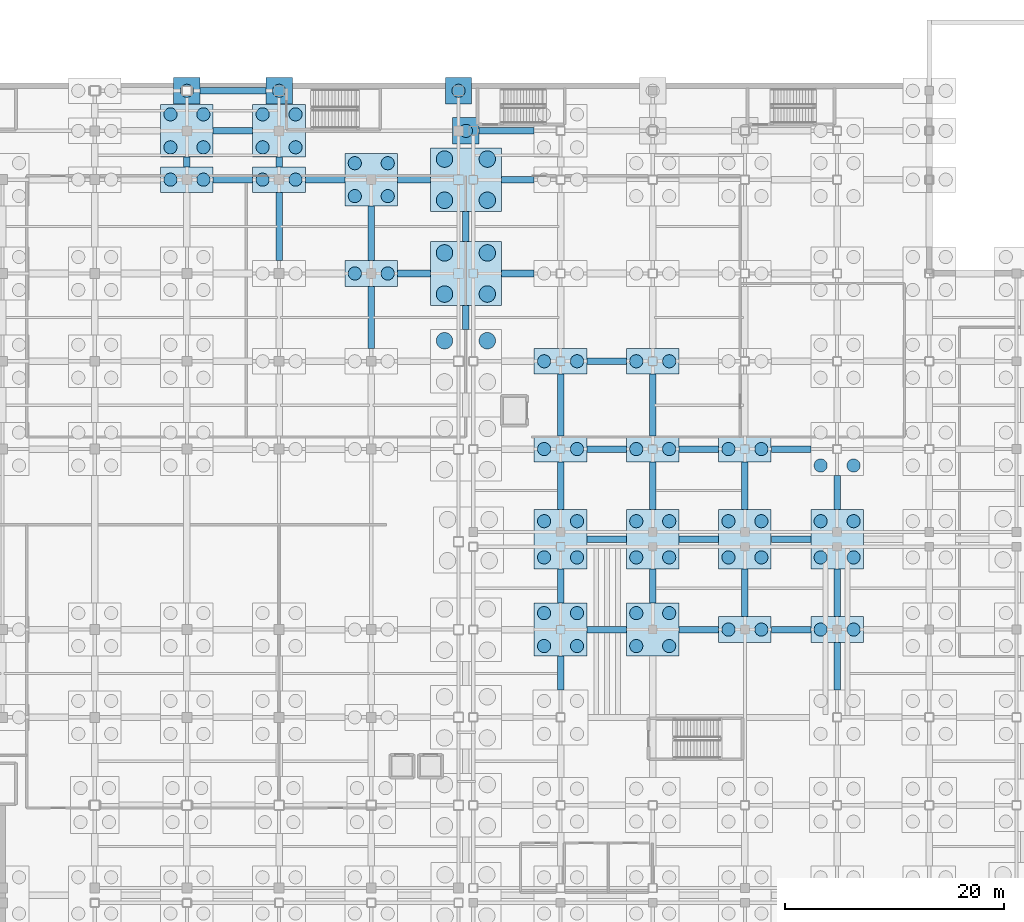
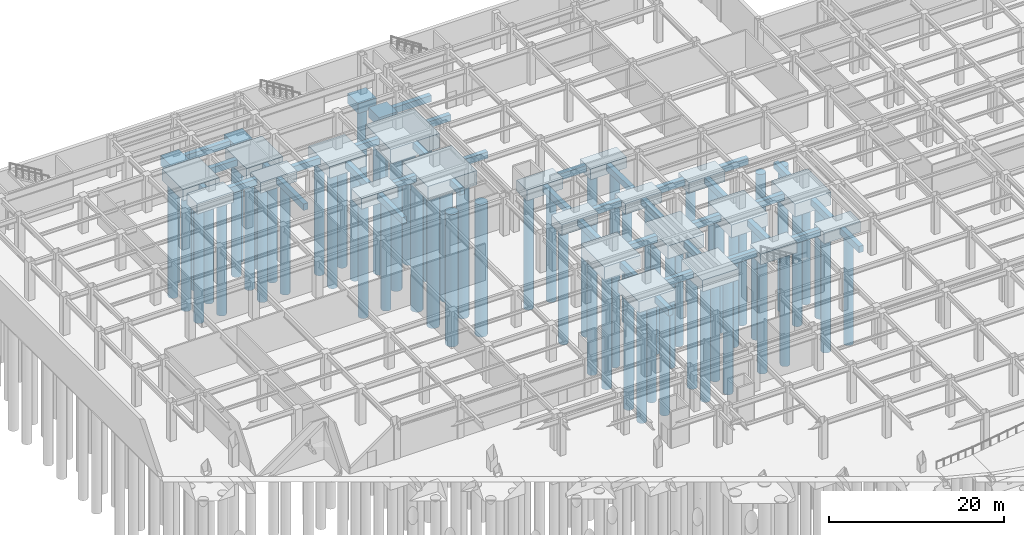
# One storey, part 8 of 55: 72 piles, 63 footings.
"""IFC4 building model written with IfcOpenShell, lengths in metres."""

from ifc_helpers import new_model, si_unit, direction, frame, origin, origin_2d, place, context, subcontext, project, spatial, rectangle, circle, extrude, material, layer, layer_set, material_profile, profile_set, type_object, element, save


model = new_model("IFC4")

# Units and contexts
model_context = context("Model", 3, precision=1e-05, world=origin(), true_north=direction((0.0, 1.0)))
body_context = subcontext(model_context, "Body", "Model", "MODEL_VIEW")
ifc_project = project(units=[si_unit("LENGTHUNIT", "METRE"), si_unit("AREAUNIT", "SQUARE_METRE"), si_unit("VOLUMEUNIT", "CUBIC_METRE"), si_unit("PLANEANGLEUNIT", "RADIAN"), si_unit("MASSUNIT", "GRAM", prefix="KILO")], contexts=[model_context])

# Site, building, storey
site_placement = place(None, origin())
site = spatial("IfcSite", under=ifc_project, at=site_placement, CompositionType="ELEMENT")
building_placement = place(site_placement, origin())
building = spatial("IfcBuilding", under=site, at=building_placement, Name="Kazehara Bluff Congress Hotel", CompositionType="ELEMENT")
storey_placement = place(building_placement, frame((0.0, 0.0, -5.39990234375)))
storey = spatial("IfcBuildingStorey", under=building, at=storey_placement, Name="B1", CompositionType="ELEMENT", Elevation=-5.39990234375)

# Footings
ifc_material_1 = material(Name="Concrete C36/45", Category="concrete")
ifc_material_profile_1 = material_profile(ifc_material_1, rectangle(XDim=0.60009765625, YDim=0.89990234375, at=origin_2d()))
ifc_profile_set_1 = profile_set([ifc_material_profile_1], Name="Concrete C36/45")
footing_type_1 = type_object("IfcFootingType", Name="TP-FB-01", PredefinedType="FOOTING_BEAM", material=ifc_profile_set_1)
footing_1_placement = place(storey_placement, frame((70.050048828125, 64.449951171875, -0.9501953125), z_axis=(1.0, 0.0, 0.0), x_axis=(0.0, 1.0, 0.0)))
element("IfcFooting", 1, at=footing_1_placement, inside=storey, type_object=footing_type_1, Name="Foundation tie beam FB-01 138", PredefinedType="FOOTING_BEAM", context=body_context, shape_type="SweptSolid", body=[
    extrude(rectangle(XDim=0.60009765625, YDim=0.89990234375, at=origin_2d()), origin(), (0.0, 0.0, 1.0), 3.599853515625),
])
footing_2_placement = place(storey_placement, frame((78.449951171875, 64.449951171875, -0.9501953125), z_axis=(1.0, 0.0, 0.0), x_axis=(0.0, 1.0, 0.0)))
element("IfcFooting", 2, at=footing_2_placement, inside=storey, type_object=footing_type_1, Name="Foundation tie beam FB-01 139", PredefinedType="FOOTING_BEAM", context=body_context, shape_type="SweptSolid", body=[
    extrude(rectangle(XDim=0.60009765625, YDim=0.89990234375, at=origin_2d()), origin(), (0.0, 0.0, 1.0), 3.60009765625),
])
for number, where, z_axis, x_axis, name in (
    (3, (86.85009765625, 64.449951171875, -0.9501953125), (1.0, 0.0, 0.0), (0.0, 1.0, 0.0), "Foundation tie beam FB-01 140"),
    (4, (70.050048828125, 72.675048828125, -0.9501953125), (1.0, 0.0, 0.0), (0.0, 1.0, 0.0), "Foundation tie beam FB-01 151"),
):
    element("IfcFooting", number, at=place(storey_placement, frame(where, z_axis=z_axis, x_axis=x_axis)), inside=storey, type_object=footing_type_1, Name=name, PredefinedType="FOOTING_BEAM", context=body_context, shape_type="SweptSolid", body=[
        extrude(rectangle(XDim=0.60009765625, YDim=0.89990234375, at=origin_2d()), origin(), (0.0, 0.0, 1.0), 3.599853515625),
    ])
footing_3_placement = place(storey_placement, frame((78.449951171875, 72.675048828125, -0.9501953125), z_axis=(1.0, 0.0, 0.0), x_axis=(0.0, 1.0, 0.0)))
element("IfcFooting", 5, at=footing_3_placement, inside=storey, type_object=footing_type_1, Name="Foundation tie beam FB-01 152", PredefinedType="FOOTING_BEAM", context=body_context, shape_type="SweptSolid", body=[
    extrude(rectangle(XDim=0.60009765625, YDim=0.89990234375, at=origin_2d()), origin(), (0.0, 0.0, 1.0), 3.60009765625),
])
for number, where, z_axis, x_axis, name in (
    (6, (86.85009765625, 72.675048828125, -0.9501953125), (1.0, 0.0, 0.0), (0.0, 1.0, 0.0), "Foundation tie beam FB-01 153"),
    (7, (70.050048828125, 80.89990234375, -0.9501953125), (1.0, 0.0, 0.0), (0.0, 1.0, 0.0), "Foundation tie beam FB-01 168"),
):
    element("IfcFooting", number, at=place(storey_placement, frame(where, z_axis=z_axis, x_axis=x_axis)), inside=storey, type_object=footing_type_1, Name=name, PredefinedType="FOOTING_BEAM", context=body_context, shape_type="SweptSolid", body=[
        extrude(rectangle(XDim=0.60009765625, YDim=0.89990234375, at=origin_2d()), origin(), (0.0, 0.0, 1.0), 3.599853515625),
    ])
footing_4_placement = place(storey_placement, frame((78.449951171875, 80.89990234375, -0.9501953125), z_axis=(1.0, 0.0, 0.0), x_axis=(0.0, 1.0, 0.0)))
element("IfcFooting", 8, at=footing_4_placement, inside=storey, type_object=footing_type_1, Name="Foundation tie beam FB-01 169", PredefinedType="FOOTING_BEAM", context=body_context, shape_type="SweptSolid", body=[
    extrude(rectangle(XDim=0.60009765625, YDim=0.89990234375, at=origin_2d()), origin(), (0.0, 0.0, 1.0), 3.60009765625),
])
for number, where, z_axis, x_axis, name in (
    (9, (86.85009765625, 80.89990234375, -0.9501953125), (1.0, 0.0, 0.0), (0.0, 1.0, 0.0), "Foundation tie beam FB-01 170"),
    (10, (70.050048828125, 88.89990234375, -0.9501953125), (1.0, 0.0, 0.0), (0.0, 1.0, 0.0), "Foundation tie beam FB-01 187"),
):
    element("IfcFooting", number, at=place(storey_placement, frame(where, z_axis=z_axis, x_axis=x_axis)), inside=storey, type_object=footing_type_1, Name=name, PredefinedType="FOOTING_BEAM", context=body_context, shape_type="SweptSolid", body=[
        extrude(rectangle(XDim=0.60009765625, YDim=0.89990234375, at=origin_2d()), origin(), (0.0, 0.0, 1.0), 3.599853515625),
    ])
for number, where, z_axis, x_axis, name in (
    (11, (52.800048828125, 96.89990234375, -0.9501953125), (1.0, 0.0, 0.0), (0.0, 1.0, 0.0), "Foundation tie beam FB-01 204"),
    (12, (62.25, 96.89990234375, -0.9501953125), (1.0, 0.0, 0.0), (0.0, 1.0, 0.0), "Foundation tie beam FB-01 205"),
):
    element("IfcFooting", number, at=place(storey_placement, frame(where, z_axis=z_axis, x_axis=x_axis)), inside=storey, type_object=footing_type_1, Name=name, PredefinedType="FOOTING_BEAM", context=body_context, shape_type="SweptSolid", body=[
        extrude(rectangle(XDim=0.60009765625, YDim=0.89990234375, at=origin_2d()), origin(), (0.0, 0.0, 1.0), 3.0),
    ])
for number, where, z_axis, x_axis, name in (
    (13, (36.0, 105.449951171875, -0.9501953125), (1.0, 0.0, 0.0), (0.0, 1.0, 0.0), "Foundation tie beam FB-01 221"),
    (14, (44.39990234375, 105.449951171875, -0.9501953125), (1.0, 0.0, 0.0), (0.0, 1.0, 0.0), "Foundation tie beam FB-01 222"),
):
    element("IfcFooting", number, at=place(storey_placement, frame(where, z_axis=z_axis, x_axis=x_axis)), inside=storey, type_object=footing_type_1, Name=name, PredefinedType="FOOTING_BEAM", context=body_context, shape_type="SweptSolid", body=[
        extrude(rectangle(XDim=0.60009765625, YDim=0.89990234375, at=origin_2d()), origin(), (0.0, 0.0, 1.0), 3.60009765625),
    ])
for number, where, z_axis, x_axis, name in (
    (15, (52.800048828125, 105.449951171875, -0.9501953125), (1.0, 0.0, 0.0), (0.0, 1.0, 0.0), "Foundation tie beam FB-01 223"),
    (16, (62.25, 105.449951171875, -0.9501953125), (1.0, 0.0, 0.0), (0.0, 1.0, 0.0), "Foundation tie beam FB-01 224"),
):
    element("IfcFooting", number, at=place(storey_placement, frame(where, z_axis=z_axis, x_axis=x_axis)), inside=storey, type_object=footing_type_1, Name=name, PredefinedType="FOOTING_BEAM", context=body_context, shape_type="SweptSolid", body=[
        extrude(rectangle(XDim=0.60009765625, YDim=0.89990234375, at=origin_2d()), origin(), (0.0, 0.0, 1.0), 3.0),
    ])
footing_5_placement = place(storey_placement, frame((36.0, 109.89990234375, -0.9501953125), z_axis=(1.0, 0.0, 0.0), x_axis=(0.0, 1.0, 0.0)))
element("IfcFooting", 17, at=footing_5_placement, inside=storey, type_object=footing_type_1, Name="Foundation tie beam FB-01 234", PredefinedType="FOOTING_BEAM", context=body_context, shape_type="SweptSolid", body=[
    extrude(rectangle(XDim=0.60009765625, YDim=0.89990234375, at=origin_2d()), origin(), (0.0, 0.0, 1.0), 3.60009765625),
])
footing_6_placement = place(storey_placement, frame((60.22509765625, 109.89990234375, -0.9501953125), z_axis=(1.0, 0.0, 0.0), x_axis=(0.0, 1.0, 0.0)))
element("IfcFooting", 18, at=footing_6_placement, inside=storey, type_object=footing_type_1, Name="Foundation tie beam FB-01 235", PredefinedType="FOOTING_BEAM", context=body_context, shape_type="SweptSolid", body=[
    extrude(rectangle(XDim=0.60009765625, YDim=0.89990234375, at=origin_2d()), origin(), (0.0, 0.0, 1.0), 5.02490234375),
])
footing_7_placement = place(storey_placement, frame((34.800048828125, 113.550048828125, -0.9501953125), z_axis=(1.0, 0.0, 0.0), x_axis=(0.0, 1.0, 0.0)))
element("IfcFooting", 19, at=footing_7_placement, inside=storey, type_object=footing_type_1, Name="Foundation tie beam FB-01 245", PredefinedType="FOOTING_BEAM", context=body_context, shape_type="SweptSolid", body=[
    extrude(rectangle(XDim=0.60009765625, YDim=0.89990234375, at=origin_2d()), origin(), (0.0, 0.0, 1.0), 6.0),
])
footing_8_placement = place(storey_placement, frame((33.60009765625, 106.625, -0.9501953125), z_axis=(0.0, 1.0, 0.0), x_axis=(-1.0, 0.0, 0.0)))
element("IfcFooting", 20, at=footing_8_placement, inside=storey, type_object=footing_type_1, Name="Foundation tie beam FB-01 306", PredefinedType="FOOTING_BEAM", context=body_context, shape_type="SweptSolid", body=[
    extrude(rectangle(XDim=0.60009765625, YDim=0.89990234375, at=origin_2d()), origin(), (0.0, 0.0, 1.0), 0.875),
])
footing_9_placement = place(storey_placement, frame((42.0, 98.074951171875, -0.9501953125), z_axis=(0.0, 1.0, 0.0), x_axis=(-1.0, 0.0, 0.0)))
element("IfcFooting", 21, at=footing_9_placement, inside=storey, type_object=footing_type_1, Name="Foundation tie beam FB-01 317", PredefinedType="FOOTING_BEAM", context=body_context, shape_type="SweptSolid", body=[
    extrude(rectangle(XDim=0.60009765625, YDim=0.89990234375, at=origin_2d()), origin(), (0.0, 0.0, 1.0), 6.199951171875),
])
footing_10_placement = place(storey_placement, frame((42.0, 106.625, -0.9501953125), z_axis=(0.0, 1.0, 0.0), x_axis=(-1.0, 0.0, 0.0)))
element("IfcFooting", 22, at=footing_10_placement, inside=storey, type_object=footing_type_1, Name="Foundation tie beam FB-01 318", PredefinedType="FOOTING_BEAM", context=body_context, shape_type="SweptSolid", body=[
    extrude(rectangle(XDim=0.60009765625, YDim=0.89990234375, at=origin_2d()), origin(), (0.0, 0.0, 1.0), 0.875),
])
footing_11_placement = place(storey_placement, frame((50.39990234375, 90.074951171875, -0.9501953125), z_axis=(0.0, 1.0, 0.0), x_axis=(-1.0, 0.0, 0.0)))
element("IfcFooting", 23, at=footing_11_placement, inside=storey, type_object=footing_type_1, Name="Foundation tie beam FB-01 327", PredefinedType="FOOTING_BEAM", context=body_context, shape_type="SweptSolid", body=[
    extrude(rectangle(XDim=0.60009765625, YDim=0.89990234375, at=origin_2d()), origin(), (0.0, 0.0, 1.0), 5.650146484375),
])
footing_12_placement = place(storey_placement, frame((50.39990234375, 98.074951171875, -0.9501953125), z_axis=(0.0, 1.0, 0.0), x_axis=(-1.0, 0.0, 0.0)))
element("IfcFooting", 24, at=footing_12_placement, inside=storey, type_object=footing_type_1, Name="Foundation tie beam FB-01 328", PredefinedType="FOOTING_BEAM", context=body_context, shape_type="SweptSolid", body=[
    extrude(rectangle(XDim=0.60009765625, YDim=0.89990234375, at=origin_2d()), origin(), (0.0, 0.0, 1.0), 4.97509765625),
])
footing_13_placement = place(storey_placement, frame((59.02490234375, 91.800048828125, -0.9501953125), z_axis=(0.0, 1.0, 0.0), x_axis=(-1.0, 0.0, 0.0)))
element("IfcFooting", 25, at=footing_13_placement, inside=storey, type_object=footing_type_1, Name="Foundation tie beam FB-01 336", PredefinedType="FOOTING_BEAM", context=body_context, shape_type="SweptSolid", body=[
    extrude(rectangle(XDim=0.60009765625, YDim=0.89990234375, at=origin_2d()), origin(), (0.0, 0.0, 1.0), 2.199951171875),
])
footing_14_placement = place(storey_placement, frame((59.02490234375, 99.800048828125, -0.9501953125), z_axis=(0.0, 1.0, 0.0), x_axis=(-1.0, 0.0, 0.0)))
element("IfcFooting", 26, at=footing_14_placement, inside=storey, type_object=footing_type_1, Name="Foundation tie beam FB-01 337", PredefinedType="FOOTING_BEAM", context=body_context, shape_type="SweptSolid", body=[
    extrude(rectangle(XDim=0.60009765625, YDim=0.89990234375, at=origin_2d()), origin(), (0.0, 0.0, 1.0), 2.75),
])
footing_15_placement = place(storey_placement, frame((67.64990234375, 58.949951171875, -0.9501953125), z_axis=(0.0, 1.0, 0.0), x_axis=(-1.0, 0.0, 0.0)))
element("IfcFooting", 27, at=footing_15_placement, inside=storey, type_object=footing_type_1, Name="Foundation tie beam FB-01 344", PredefinedType="FOOTING_BEAM", context=body_context, shape_type="SweptSolid", body=[
    extrude(rectangle(XDim=0.60009765625, YDim=0.89990234375, at=origin_2d()), origin(), (0.0, 0.0, 1.0), 3.10009765625),
])
footing_16_placement = place(storey_placement, frame((67.64990234375, 66.85009765625, -0.9501953125), z_axis=(0.0, 1.0, 0.0), x_axis=(-1.0, 0.0, 0.0)))
element("IfcFooting", 28, at=footing_16_placement, inside=storey, type_object=footing_type_1, Name="Foundation tie beam FB-01 345", PredefinedType="FOOTING_BEAM", context=body_context, shape_type="SweptSolid", body=[
    extrude(rectangle(XDim=0.60009765625, YDim=0.89990234375, at=origin_2d()), origin(), (0.0, 0.0, 1.0), 3.125),
])
footing_17_placement = place(storey_placement, frame((67.64990234375, 75.375, -0.9501953125), z_axis=(0.0, 1.0, 0.0), x_axis=(-1.0, 0.0, 0.0)))
element("IfcFooting", 29, at=footing_17_placement, inside=storey, type_object=footing_type_1, Name="Foundation tie beam FB-01 346", PredefinedType="FOOTING_BEAM", context=body_context, shape_type="SweptSolid", body=[
    extrude(rectangle(XDim=0.60009765625, YDim=0.89990234375, at=origin_2d()), origin(), (0.0, 0.0, 1.0), 4.35009765625),
])
footing_18_placement = place(storey_placement, frame((67.64990234375, 82.074951171875, -0.9501953125), z_axis=(0.0, 1.0, 0.0), x_axis=(-1.0, 0.0, 0.0)))
element("IfcFooting", 30, at=footing_18_placement, inside=storey, type_object=footing_type_1, Name="Foundation tie beam FB-01 347", PredefinedType="FOOTING_BEAM", context=body_context, shape_type="SweptSolid", body=[
    extrude(rectangle(XDim=0.60009765625, YDim=0.89990234375, at=origin_2d()), origin(), (0.0, 0.0, 1.0), 5.650146484375),
])
footing_19_placement = place(storey_placement, frame((76.050048828125, 66.85009765625, -0.9501953125), z_axis=(0.0, 1.0, 0.0), x_axis=(-1.0, 0.0, 0.0)))
element("IfcFooting", 31, at=footing_19_placement, inside=storey, type_object=footing_type_1, Name="Foundation tie beam FB-01 358", PredefinedType="FOOTING_BEAM", context=body_context, shape_type="SweptSolid", body=[
    extrude(rectangle(XDim=0.60009765625, YDim=0.89990234375, at=origin_2d()), origin(), (0.0, 0.0, 1.0), 3.125),
])
footing_20_placement = place(storey_placement, frame((76.050048828125, 75.375, -0.9501953125), z_axis=(0.0, 1.0, 0.0), x_axis=(-1.0, 0.0, 0.0)))
element("IfcFooting", 32, at=footing_20_placement, inside=storey, type_object=footing_type_1, Name="Foundation tie beam FB-01 359", PredefinedType="FOOTING_BEAM", context=body_context, shape_type="SweptSolid", body=[
    extrude(rectangle(XDim=0.60009765625, YDim=0.89990234375, at=origin_2d()), origin(), (0.0, 0.0, 1.0), 4.35009765625),
])
footing_21_placement = place(storey_placement, frame((76.050048828125, 82.074951171875, -0.9501953125), z_axis=(0.0, 1.0, 0.0), x_axis=(-1.0, 0.0, 0.0)))
element("IfcFooting", 33, at=footing_21_placement, inside=storey, type_object=footing_type_1, Name="Foundation tie beam FB-01 360", PredefinedType="FOOTING_BEAM", context=body_context, shape_type="SweptSolid", body=[
    extrude(rectangle(XDim=0.60009765625, YDim=0.89990234375, at=origin_2d()), origin(), (0.0, 0.0, 1.0), 5.650146484375),
])
for number, where, z_axis, x_axis, name in (
    (34, (84.449951171875, 65.625, -0.9501953125), (0.0, 1.0, 0.0), (-1.0, 0.0, 0.0), "Foundation tie beam FB-01 370"),
    (35, (84.449951171875, 75.375, -0.9501953125), (0.0, 1.0, 0.0), (-1.0, 0.0, 0.0), "Foundation tie beam FB-01 371"),
):
    element("IfcFooting", number, at=place(storey_placement, frame(where, z_axis=z_axis, x_axis=x_axis)), inside=storey, type_object=footing_type_1, Name=name, PredefinedType="FOOTING_BEAM", context=body_context, shape_type="SweptSolid", body=[
        extrude(rectangle(XDim=0.60009765625, YDim=0.89990234375, at=origin_2d()), origin(), (0.0, 0.0, 1.0), 4.35009765625),
    ])
footing_22_placement = place(storey_placement, frame((92.85009765625, 58.949951171875, -0.9501953125), z_axis=(0.0, 1.0, 0.0), x_axis=(-1.0, 0.0, 0.0)))
element("IfcFooting", 36, at=footing_22_placement, inside=storey, type_object=footing_type_1, Name="Foundation tie beam FB-01 382", PredefinedType="FOOTING_BEAM", context=body_context, shape_type="SweptSolid", body=[
    extrude(rectangle(XDim=0.60009765625, YDim=0.89990234375, at=origin_2d()), origin(), (0.0, 0.0, 1.0), 4.324951171875),
])
footing_23_placement = place(storey_placement, frame((92.85009765625, 65.625, -0.9501953125), z_axis=(0.0, 1.0, 0.0), x_axis=(-1.0, 0.0, 0.0)))
element("IfcFooting", 37, at=footing_23_placement, inside=storey, type_object=footing_type_1, Name="Foundation tie beam FB-01 383", PredefinedType="FOOTING_BEAM", context=body_context, shape_type="SweptSolid", body=[
    extrude(rectangle(XDim=0.60009765625, YDim=0.89990234375, at=origin_2d()), origin(), (0.0, 0.0, 1.0), 4.35009765625),
])
footing_24_placement = place(storey_placement, frame((92.85009765625, 75.375, -0.9501953125), z_axis=(0.0, 1.0, 0.0), x_axis=(-1.0, 0.0, 0.0)))
element("IfcFooting", 38, at=footing_24_placement, inside=storey, type_object=footing_type_1, Name="Foundation tie beam FB-01 384", PredefinedType="FOOTING_BEAM", context=body_context, shape_type="SweptSolid", body=[
    extrude(rectangle(XDim=0.60009765625, YDim=0.89990234375, at=origin_2d()), origin(), (0.0, 0.0, 1.0), 3.125),
])
ifc_material_2 = material(Name="Concrete C36/45", Category="concrete")
ifc_layer_1 = layer(ifc_material_2, 1.39990234375)
ifc_layer_set_1 = layer_set([ifc_layer_1], Name="Concrete C36/45")
footing_type_2 = type_object("IfcFootingType", Name="TP-PC-01", PredefinedType="PILE_CAP", material=ifc_layer_set_1)
for number, where, z_axis, x_axis, name in (
    (39, (33.60009765625, 113.550048828125, -1.900146484375), (0.0, 0.0, 1.0), (1.0, 0.0, 0.0), "Pile cap PC-01 71"),
    (40, (42.0, 113.550048828125, -1.900146484375), (0.0, 0.0, 1.0), (1.0, 0.0, 0.0), "Pile cap PC-01 86"),
    (41, (59.02490234375, 109.89990234375, -1.900146484375), (0.0, 0.0, 1.0), (1.0, 0.0, 0.0), "Pile cap PC-01 113"),
    (42, (58.35009765625, 113.550048828125, -1.900146484375), (0.0, 0.0, 1.0), (1.0, 0.0, 0.0), "Pile cap PC-01 114"),
):
    element("IfcFooting", number, at=place(storey_placement, frame(where, z_axis=z_axis, x_axis=x_axis)), inside=storey, type_object=footing_type_2, Name=name, PredefinedType="PILE_CAP", context=body_context, shape_type="SweptSolid", body=[
        extrude(rectangle(XDim=2.39990234375, YDim=2.39990234375, at=origin_2d()), origin(), (0.0, 0.0, 1.0), 1.39990234375),
    ])
ifc_material_3 = material(Name="Concrete C36/45", Category="concrete")
ifc_layer_2 = layer(ifc_material_3, 1.5)
ifc_layer_set_2 = layer_set([ifc_layer_2], Name="Concrete C36/45")
footing_type_3 = type_object("IfcFootingType", Name="TP-PC-02", PredefinedType="PILE_CAP", material=ifc_layer_set_2)
for number, where, z_axis, x_axis, name in (
    (43, (33.60009765625, 105.449951171875, -2.0), (0.0, 0.0, 1.0), (1.0, 0.0, 0.0), "Pile cap PC-02 69"),
    (44, (42.0, 105.449951171875, -2.0), (0.0, 0.0, 1.0), (1.0, 0.0, 0.0), "Pile cap PC-02 84"),
    (45, (50.39990234375, 96.89990234375, -2.0), (0.0, 0.0, 1.0), (1.0, 0.0, 0.0), "Pile cap PC-02 97"),
    (46, (67.64990234375, 80.89990234375, -2.0), (0.0, 0.0, 1.0), (1.0, 0.0, 0.0), "Pile cap PC-02 124"),
    (47, (67.64990234375, 88.89990234375, -2.0), (0.0, 0.0, 1.0), (1.0, 0.0, 0.0), "Pile cap PC-02 125"),
    (48, (76.050048828125, 80.89990234375, -2.0), (0.0, 0.0, 1.0), (1.0, 0.0, 0.0), "Pile cap PC-02 138"),
    (49, (76.050048828125, 88.89990234375, -2.0), (0.0, 0.0, 1.0), (1.0, 0.0, 0.0), "Pile cap PC-02 139"),
    (50, (84.449951171875, 64.449951171875, -2.0), (0.0, 0.0, 1.0), (1.0, 0.0, 0.0), "Pile cap PC-02 150"),
    (51, (84.449951171875, 80.89990234375, -2.0), (0.0, 0.0, 1.0), (1.0, 0.0, 0.0), "Pile cap PC-02 152"),
    (52, (92.85009765625, 64.449951171875, -2.0), (0.0, 0.0, 1.0), (1.0, 0.0, 0.0), "Pile cap PC-02 164"),
):
    element("IfcFooting", number, at=place(storey_placement, frame(where, z_axis=z_axis, x_axis=x_axis)), inside=storey, type_object=footing_type_3, Name=name, PredefinedType="PILE_CAP", context=body_context, shape_type="SweptSolid", body=[
        extrude(rectangle(XDim=4.800048828125, YDim=2.35009765625, at=origin_2d()), origin(), (0.0, 0.0, 1.0), 1.5),
    ])
ifc_material_4 = material(Name="Concrete C36/45", Category="concrete")
ifc_layer_3 = layer(ifc_material_4, 1.60009765625)
ifc_layer_set_3 = layer_set([ifc_layer_3], Name="Concrete C36/45")
footing_type_4 = type_object("IfcFootingType", Name="TP-PC-04", PredefinedType="PILE_CAP", material=ifc_layer_set_3)
for number, where, z_axis, x_axis, name in (
    (53, (33.60009765625, 109.89990234375, -2.10009765625), (0.0, 0.0, 1.0), (1.0, 0.0, 0.0), "Pile cap PC-04 70"),
    (54, (42.0, 109.89990234375, -2.10009765625), (0.0, 0.0, 1.0), (1.0, 0.0, 0.0), "Pile cap PC-04 85"),
    (55, (50.39990234375, 105.449951171875, -2.10009765625), (0.0, 0.0, 1.0), (1.0, 0.0, 0.0), "Pile cap PC-04 98"),
    (56, (67.64990234375, 64.449951171875, -2.10009765625), (0.0, 0.0, 1.0), (1.0, 0.0, 0.0), "Pile cap PC-04 122"),
    (57, (76.050048828125, 64.449951171875, -2.10009765625), (0.0, 0.0, 1.0), (1.0, 0.0, 0.0), "Pile cap PC-04 136"),
):
    element("IfcFooting", number, at=place(storey_placement, frame(where, z_axis=z_axis, x_axis=x_axis)), inside=storey, type_object=footing_type_4, Name=name, PredefinedType="PILE_CAP", context=body_context, shape_type="SweptSolid", body=[
        extrude(rectangle(XDim=4.800048828125, YDim=4.800048828125, at=origin_2d()), origin(), (0.0, 0.0, 1.0), 1.60009765625),
    ])
ifc_material_5 = material(Name="Concrete C36/45", Category="concrete")
ifc_layer_4 = layer(ifc_material_5, 1.800048828125)
ifc_layer_set_4 = layer_set([ifc_layer_4], Name="Concrete C36/45")
footing_type_5 = type_object("IfcFootingType", Name="TP-PC-08", PredefinedType="PILE_CAP", material=ifc_layer_set_4)
for number, where, z_axis, x_axis, name in (
    (58, (67.64990234375, 72.675048828125, -2.30029296875), (0.0, 0.0, 1.0), (1.0, 0.0, 0.0), "Pile cap PC-08 123"),
    (59, (76.050048828125, 72.675048828125, -2.30029296875), (0.0, 0.0, 1.0), (1.0, 0.0, 0.0), "Pile cap PC-08 137"),
    (60, (84.449951171875, 72.675048828125, -2.30029296875), (0.0, 0.0, 1.0), (1.0, 0.0, 0.0), "Pile cap PC-08 151"),
    (61, (92.85009765625, 72.675048828125, -2.30029296875), (0.0, 0.0, 1.0), (1.0, 0.0, 0.0), "Pile cap PC-08 165"),
):
    element("IfcFooting", number, at=place(storey_placement, frame(where, z_axis=z_axis, x_axis=x_axis)), inside=storey, type_object=footing_type_5, Name=name, PredefinedType="PILE_CAP", context=body_context, shape_type="SweptSolid", body=[
        extrude(rectangle(XDim=4.800048828125, YDim=5.39990234375, at=origin_2d()), origin(), (0.0, 0.0, 1.0), 1.800048828125),
    ])
ifc_material_6 = material(Name="Concrete C36/45", Category="concrete")
ifc_layer_5 = layer(ifc_material_6, 2.0)
ifc_layer_set_5 = layer_set([ifc_layer_5], Name="Concrete C36/45")
footing_type_6 = type_object("IfcFootingType", Name="TP-PC-11", PredefinedType="PILE_CAP", material=ifc_layer_set_5)
for number, where, z_axis, x_axis, name in (
    (62, (59.02490234375, 96.89990234375, -2.5), (0.0, 0.0, 1.0), (1.0, 0.0, 0.0), "Pile cap PC-11 111"),
    (63, (59.02490234375, 105.449951171875, -2.5), (0.0, 0.0, 1.0), (1.0, 0.0, 0.0), "Pile cap PC-11 112"),
):
    element("IfcFooting", number, at=place(storey_placement, frame(where, z_axis=z_axis, x_axis=x_axis)), inside=storey, type_object=footing_type_6, Name=name, PredefinedType="PILE_CAP", context=body_context, shape_type="SweptSolid", body=[
        extrude(rectangle(XDim=6.449951171875, YDim=5.800048828125, at=origin_2d()), origin(), (0.0, 0.0, 1.0), 2.0),
    ])

# Piles
ifc_material_7 = material(Name="Concrete C36/45", Category="concrete")
ifc_material_profile_2 = material_profile(ifc_material_7, circle(Radius=0.60009765625, at=origin_2d()))
ifc_profile_set_2 = profile_set([ifc_material_profile_2], Name="Concrete C36/45")
pile_type_1 = type_object("IfcPileType", Name="TP-PILE-1200", PredefinedType="BORED", material=ifc_profile_set_2)
for number, where, z_axis, x_axis, name in (
    (64, (32.10009765625, 105.449951171875, -1.900146484375), (0.0, 0.0, -1.0), (1.0, 0.0, 0.0), "Bored pile FND-PC-069-P1"),
    (65, (35.10009765625, 105.449951171875, -1.900146484375), (0.0, 0.0, -1.0), (1.0, 0.0, 0.0), "Bored pile FND-PC-069-P2"),
    (66, (32.10009765625, 108.39990234375, -2.0), (0.0, 0.0, -1.0), (1.0, 0.0, 0.0), "Bored pile FND-PC-070-P1"),
    (67, (35.10009765625, 108.39990234375, -2.0), (0.0, 0.0, -1.0), (1.0, 0.0, 0.0), "Bored pile FND-PC-070-P2"),
    (68, (32.10009765625, 111.39990234375, -2.0), (0.0, 0.0, -1.0), (1.0, 0.0, 0.0), "Bored pile FND-PC-070-P3"),
    (69, (35.10009765625, 111.39990234375, -2.0), (0.0, 0.0, -1.0), (1.0, 0.0, 0.0), "Bored pile FND-PC-070-P4"),
    (70, (33.60009765625, 113.550048828125, -1.800048828125), (0.0, 0.0, -1.0), (1.0, 0.0, 0.0), "Bored pile FND-PC-071-P1"),
    (71, (40.5, 105.449951171875, -1.900146484375), (0.0, 0.0, -1.0), (1.0, 0.0, 0.0), "Bored pile FND-PC-084-P1"),
    (72, (43.5, 105.449951171875, -1.900146484375), (0.0, 0.0, -1.0), (1.0, 0.0, 0.0), "Bored pile FND-PC-084-P2"),
    (73, (40.5, 108.39990234375, -2.0), (0.0, 0.0, -1.0), (1.0, 0.0, 0.0), "Bored pile FND-PC-085-P1"),
    (74, (43.5, 108.39990234375, -2.0), (0.0, 0.0, -1.0), (1.0, 0.0, 0.0), "Bored pile FND-PC-085-P2"),
    (75, (40.5, 111.39990234375, -2.0), (0.0, 0.0, -1.0), (1.0, 0.0, 0.0), "Bored pile FND-PC-085-P3"),
    (76, (43.5, 111.39990234375, -2.0), (0.0, 0.0, -1.0), (1.0, 0.0, 0.0), "Bored pile FND-PC-085-P4"),
    (77, (42.0, 113.550048828125, -1.800048828125), (0.0, 0.0, -1.0), (1.0, 0.0, 0.0), "Bored pile FND-PC-086-P1"),
    (78, (48.89990234375, 96.89990234375, -1.900146484375), (0.0, 0.0, -1.0), (1.0, 0.0, 0.0), "Bored pile FND-PC-097-P1"),
    (79, (51.89990234375, 96.89990234375, -1.900146484375), (0.0, 0.0, -1.0), (1.0, 0.0, 0.0), "Bored pile FND-PC-097-P2"),
    (80, (48.89990234375, 103.949951171875, -2.0), (0.0, 0.0, -1.0), (1.0, 0.0, 0.0), "Bored pile FND-PC-098-P1"),
    (81, (51.89990234375, 103.949951171875, -2.0), (0.0, 0.0, -1.0), (1.0, 0.0, 0.0), "Bored pile FND-PC-098-P2"),
    (82, (48.89990234375, 106.949951171875, -2.0), (0.0, 0.0, -1.0), (1.0, 0.0, 0.0), "Bored pile FND-PC-098-P3"),
    (83, (51.89990234375, 106.949951171875, -2.0), (0.0, 0.0, -1.0), (1.0, 0.0, 0.0), "Bored pile FND-PC-098-P4"),
    (84, (59.02490234375, 109.89990234375, -1.800048828125), (0.0, 0.0, -1.0), (1.0, 0.0, 0.0), "Bored pile FND-PC-113-P1"),
    (85, (58.35009765625, 113.550048828125, -1.800048828125), (0.0, 0.0, -1.0), (1.0, 0.0, 0.0), "Bored pile FND-PC-114-P1"),
    (86, (66.14990234375, 62.949951171875, -2.0), (0.0, 0.0, -1.0), (1.0, 0.0, 0.0), "Bored pile FND-PC-122-P1"),
    (87, (69.14990234375, 62.949951171875, -2.0), (0.0, 0.0, -1.0), (1.0, 0.0, 0.0), "Bored pile FND-PC-122-P2"),
    (88, (66.14990234375, 65.949951171875, -2.0), (0.0, 0.0, -1.0), (1.0, 0.0, 0.0), "Bored pile FND-PC-122-P3"),
    (89, (69.14990234375, 65.949951171875, -2.0), (0.0, 0.0, -1.0), (1.0, 0.0, 0.0), "Bored pile FND-PC-122-P4"),
    (90, (66.14990234375, 71.02490234375, -2.2001953125), (0.0, 0.0, -1.0), (1.0, 0.0, 0.0), "Bored pile FND-PC-123-P1"),
    (91, (69.14990234375, 71.02490234375, -2.2001953125), (0.0, 0.0, -1.0), (1.0, 0.0, 0.0), "Bored pile FND-PC-123-P2"),
    (92, (66.14990234375, 74.324951171875, -2.2001953125), (0.0, 0.0, -1.0), (1.0, 0.0, 0.0), "Bored pile FND-PC-123-P3"),
    (93, (69.14990234375, 74.324951171875, -2.2001953125), (0.0, 0.0, -1.0), (1.0, 0.0, 0.0), "Bored pile FND-PC-123-P4"),
    (94, (66.14990234375, 80.89990234375, -1.900146484375), (0.0, 0.0, -1.0), (1.0, 0.0, 0.0), "Bored pile FND-PC-124-P1"),
    (95, (69.14990234375, 80.89990234375, -1.900146484375), (0.0, 0.0, -1.0), (1.0, 0.0, 0.0), "Bored pile FND-PC-124-P2"),
    (96, (66.14990234375, 88.89990234375, -1.900146484375), (0.0, 0.0, -1.0), (1.0, 0.0, 0.0), "Bored pile FND-PC-125-P1"),
    (97, (69.14990234375, 88.89990234375, -1.900146484375), (0.0, 0.0, -1.0), (1.0, 0.0, 0.0), "Bored pile FND-PC-125-P2"),
    (98, (74.550048828125, 62.949951171875, -2.0), (0.0, 0.0, -1.0), (1.0, 0.0, 0.0), "Bored pile FND-PC-136-P1"),
    (99, (77.550048828125, 62.949951171875, -2.0), (0.0, 0.0, -1.0), (1.0, 0.0, 0.0), "Bored pile FND-PC-136-P2"),
    (100, (74.550048828125, 65.949951171875, -2.0), (0.0, 0.0, -1.0), (1.0, 0.0, 0.0), "Bored pile FND-PC-136-P3"),
    (101, (77.550048828125, 65.949951171875, -2.0), (0.0, 0.0, -1.0), (1.0, 0.0, 0.0), "Bored pile FND-PC-136-P4"),
    (102, (74.550048828125, 71.02490234375, -2.2001953125), (0.0, 0.0, -1.0), (1.0, 0.0, 0.0), "Bored pile FND-PC-137-P1"),
    (103, (77.550048828125, 71.02490234375, -2.2001953125), (0.0, 0.0, -1.0), (1.0, 0.0, 0.0), "Bored pile FND-PC-137-P2"),
    (104, (74.550048828125, 74.324951171875, -2.2001953125), (0.0, 0.0, -1.0), (1.0, 0.0, 0.0), "Bored pile FND-PC-137-P3"),
    (105, (77.550048828125, 74.324951171875, -2.2001953125), (0.0, 0.0, -1.0), (1.0, 0.0, 0.0), "Bored pile FND-PC-137-P4"),
    (106, (74.550048828125, 80.89990234375, -1.900146484375), (0.0, 0.0, -1.0), (1.0, 0.0, 0.0), "Bored pile FND-PC-138-P1"),
    (107, (77.550048828125, 80.89990234375, -1.900146484375), (0.0, 0.0, -1.0), (1.0, 0.0, 0.0), "Bored pile FND-PC-138-P2"),
    (108, (74.550048828125, 88.89990234375, -1.900146484375), (0.0, 0.0, -1.0), (1.0, 0.0, 0.0), "Bored pile FND-PC-139-P1"),
    (109, (77.550048828125, 88.89990234375, -1.900146484375), (0.0, 0.0, -1.0), (1.0, 0.0, 0.0), "Bored pile FND-PC-139-P2"),
    (110, (82.949951171875, 64.449951171875, -1.900146484375), (0.0, 0.0, -1.0), (1.0, 0.0, 0.0), "Bored pile FND-PC-150-P1"),
    (111, (85.949951171875, 64.449951171875, -1.900146484375), (0.0, 0.0, -1.0), (1.0, 0.0, 0.0), "Bored pile FND-PC-150-P2"),
    (112, (82.949951171875, 71.02490234375, -2.2001953125), (0.0, 0.0, -1.0), (1.0, 0.0, 0.0), "Bored pile FND-PC-151-P1"),
    (113, (85.949951171875, 71.02490234375, -2.2001953125), (0.0, 0.0, -1.0), (1.0, 0.0, 0.0), "Bored pile FND-PC-151-P2"),
    (114, (82.949951171875, 74.324951171875, -2.2001953125), (0.0, 0.0, -1.0), (1.0, 0.0, 0.0), "Bored pile FND-PC-151-P3"),
    (115, (85.949951171875, 74.324951171875, -2.2001953125), (0.0, 0.0, -1.0), (1.0, 0.0, 0.0), "Bored pile FND-PC-151-P4"),
    (116, (82.949951171875, 80.89990234375, -1.900146484375), (0.0, 0.0, -1.0), (1.0, 0.0, 0.0), "Bored pile FND-PC-152-P1"),
    (117, (85.949951171875, 80.89990234375, -1.900146484375), (0.0, 0.0, -1.0), (1.0, 0.0, 0.0), "Bored pile FND-PC-152-P2"),
    (118, (91.35009765625, 64.449951171875, -1.900146484375), (0.0, 0.0, -1.0), (1.0, 0.0, 0.0), "Bored pile FND-PC-164-P1"),
    (119, (94.35009765625, 64.449951171875, -1.900146484375), (0.0, 0.0, -1.0), (1.0, 0.0, 0.0), "Bored pile FND-PC-164-P2"),
    (120, (91.35009765625, 71.02490234375, -2.2001953125), (0.0, 0.0, -1.0), (1.0, 0.0, 0.0), "Bored pile FND-PC-165-P1"),
    (121, (94.35009765625, 71.02490234375, -2.2001953125), (0.0, 0.0, -1.0), (1.0, 0.0, 0.0), "Bored pile FND-PC-165-P2"),
    (122, (91.35009765625, 74.324951171875, -2.2001953125), (0.0, 0.0, -1.0), (1.0, 0.0, 0.0), "Bored pile FND-PC-165-P3"),
    (123, (94.35009765625, 74.324951171875, -2.2001953125), (0.0, 0.0, -1.0), (1.0, 0.0, 0.0), "Bored pile FND-PC-165-P4"),
    (124, (91.35009765625, 79.39990234375, -2.0), (0.0, 0.0, -1.0), (1.0, 0.0, 0.0), "Bored pile FND-PC-166-P1"),
    (125, (94.35009765625, 79.39990234375, -2.0), (0.0, 0.0, -1.0), (1.0, 0.0, 0.0), "Bored pile FND-PC-166-P2"),
):
    element("IfcPile", number, at=place(storey_placement, frame(where, z_axis=z_axis, x_axis=x_axis)), inside=storey, type_object=pile_type_1, Name=name, PredefinedType="BORED", context=body_context, shape_type="SweptSolid", body=[
        extrude(circle(Radius=0.60009765625, at=origin_2d()), origin(), (0.0, 0.0, 1.0), 16.0),
    ])
ifc_material_8 = material(Name="Concrete C36/45", Category="concrete")
ifc_material_profile_3 = material_profile(ifc_material_8, circle(Radius=0.75, at=origin_2d()))
ifc_profile_set_3 = profile_set([ifc_material_profile_3], Name="Concrete C36/45")
pile_type_2 = type_object("IfcPileType", Name="TP-PILE-1500", PredefinedType="BORED", material=ifc_profile_set_3)
for number, where, z_axis, x_axis, name in (
    (126, (57.074951171875, 90.77490234375, -2.400146484375), (0.0, 0.0, -1.0), (1.0, 0.0, 0.0), "Bored pile FND-PC-110-P3"),
    (127, (60.97509765625, 90.77490234375, -2.400146484375), (0.0, 0.0, -1.0), (1.0, 0.0, 0.0), "Bored pile FND-PC-110-P4"),
    (128, (57.074951171875, 95.02490234375, -2.400146484375), (0.0, 0.0, -1.0), (1.0, 0.0, 0.0), "Bored pile FND-PC-111-P1"),
    (129, (60.97509765625, 95.02490234375, -2.400146484375), (0.0, 0.0, -1.0), (1.0, 0.0, 0.0), "Bored pile FND-PC-111-P2"),
    (130, (57.074951171875, 98.77490234375, -2.400146484375), (0.0, 0.0, -1.0), (1.0, 0.0, 0.0), "Bored pile FND-PC-111-P3"),
    (131, (60.97509765625, 98.77490234375, -2.400146484375), (0.0, 0.0, -1.0), (1.0, 0.0, 0.0), "Bored pile FND-PC-111-P4"),
    (132, (57.074951171875, 103.574951171875, -2.400146484375), (0.0, 0.0, -1.0), (1.0, 0.0, 0.0), "Bored pile FND-PC-112-P1"),
    (133, (60.97509765625, 103.574951171875, -2.400146484375), (0.0, 0.0, -1.0), (1.0, 0.0, 0.0), "Bored pile FND-PC-112-P2"),
    (134, (57.074951171875, 107.324951171875, -2.400146484375), (0.0, 0.0, -1.0), (1.0, 0.0, 0.0), "Bored pile FND-PC-112-P3"),
    (135, (60.97509765625, 107.324951171875, -2.400146484375), (0.0, 0.0, -1.0), (1.0, 0.0, 0.0), "Bored pile FND-PC-112-P4"),
):
    element("IfcPile", number, at=place(storey_placement, frame(where, z_axis=z_axis, x_axis=x_axis)), inside=storey, type_object=pile_type_2, Name=name, PredefinedType="BORED", context=body_context, shape_type="SweptSolid", body=[
        extrude(circle(Radius=0.75, at=origin_2d()), origin(), (0.0, 0.0, 1.0), 18.5),
    ])

save(model, "model.ifc")
